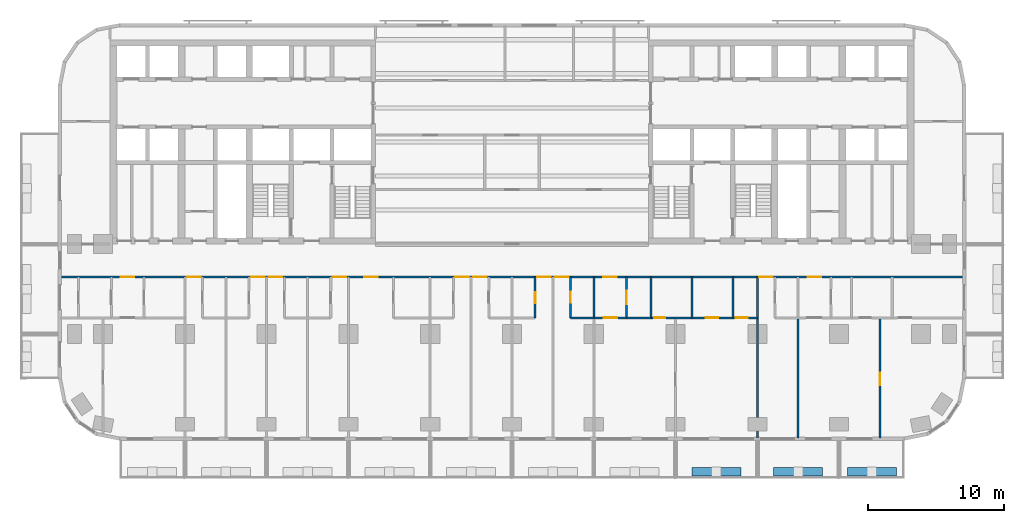
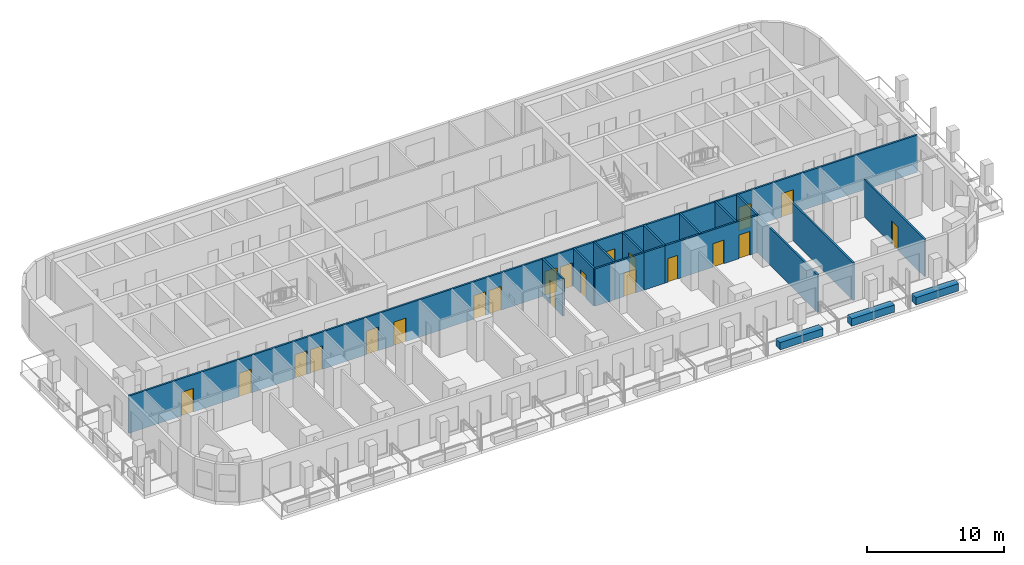
# One storey, part 6 of 15: 21 doors, 18 walls, 21 openings.
"""IFC4 building model written with IfcOpenShell, lengths in metres."""

from ifc_helpers import new_model, si_unit, direction, frame, frame_2d, origin, place, context, subcontext, project, spatial, rectangle, extrude, material, layer, layer_set, type_object, element, fill, save


model = new_model("IFC4")

# Units and contexts
model_context = context("Model", 3, precision=1e-05, world=origin(), true_north=direction((0.0, 1.0)))
body_context = subcontext(model_context, "Body", "Model", "MODEL_VIEW")
ifc_project = project(units=[si_unit("LENGTHUNIT", "METRE"), si_unit("AREAUNIT", "SQUARE_METRE"), si_unit("VOLUMEUNIT", "CUBIC_METRE"), si_unit("PLANEANGLEUNIT", "RADIAN"), si_unit("MASSUNIT", "GRAM", prefix="KILO")], contexts=[model_context])

# Site, building, storey
site_placement = place(None, origin())
site = spatial("IfcSite", under=ifc_project, at=site_placement, CompositionType="ELEMENT")
building_placement = place(site_placement, origin())
building = spatial("IfcBuilding", under=site, at=building_placement, Name="Torana Hotel and Residences", CompositionType="ELEMENT")
storey_placement = place(building_placement, frame((0.0, 0.0, 49.199951171875)))
storey = spatial("IfcBuildingStorey", under=building, at=storey_placement, Name="L11", CompositionType="ELEMENT", Elevation=49.199951171875)

# Wall, opening, door
ifc_material_1 = material(Name="Gypsum plaster")
ifc_layer_1 = layer(ifc_material_1, 0.014892578125, Name="Plaster", Category="finish")
ifc_material_2 = material(Name="Concrete blockwork", Category="masonry")
ifc_layer_2 = layer(ifc_material_2, 0.1201171875, Name="Blockwork", Category="structure")
ifc_layer_3 = layer(ifc_material_1, 0.014892578125, Name="Plaster", Category="finish")
ifc_layer_set_1 = layer_set([ifc_layer_1, ifc_layer_2, ifc_layer_3], Name="FIRE PARTITION 150 BLOCKWORK")
wall_type_1 = type_object("IfcWallType", Name="FIRE PARTITION 150 BLOCKWORK", PredefinedType="PARTITIONING", material=ifc_layer_set_1)
wall_1_placement = place(storey_placement, frame((8.39990234375, -20.39990234375, 0.0), z_axis=(0.0, 0.0, 1.0), x_axis=(0.0, 1.0, 0.0)))
wall_1 = element("IfcWall", 1, at=wall_1_placement, inside=storey, type_object=wall_type_1, Name="Partition L11", PredefinedType="PARTITIONING", context=body_context, shape_type="SweptSolid", body=[
    extrude(rectangle(XDim=3.0, YDim=0.14990234375, at=frame_2d((1.5, 0.0))), origin(), (0.0, 0.0, 1.0), 3.320068359375),
])
opening_1_placement = place(wall_1_placement, frame((1.0, 0.0, 0.0)))
opening_1 = element("IfcOpeningElement", 2, at=opening_1_placement, cuts=wall_1, Name="Opening L11-72", PredefinedType="OPENING", context=body_context, shape_type="SweptSolid", body=[
    extrude(rectangle(XDim=1.0, YDim=2.10009765625, at=frame_2d((0.5, 1.050048828125))), frame((0.0, 0.0849609375, 0.0), z_axis=(0.0, -1.0, 0.0), x_axis=(1.0, 0.0, 0.0)), (0.0, 0.0, 1.0), 0.169921875),
])
ifc_material_3 = material(Name="Steel S235", Category="steel")
door_type_1 = type_object("IfcDoorType", Name="ENTRY FIRE DOOR D6 1000x2100", OperationType="SINGLE_SWING_LEFT", PredefinedType="DOOR", material=ifc_material_3)
door_1_placement = place(opening_1_placement, frame((0.5, 0.0, 0.0), z_axis=(0.0, 0.0, 1.0), x_axis=(-1.0, 0.0, 0.0)))
door_1 = element("IfcDoor", 3, at=door_1_placement, inside=storey, type_object=door_type_1, Name="Door L11", OperationType="SINGLE_SWING_LEFT", OverallHeight=2.10009765625, OverallWidth=1.0, PredefinedType="DOOR", context=body_context, shape_type="SweptSolid", body=[
    extrude(rectangle(XDim=1.0, YDim=2.10009765625, at=frame_2d((0.0, 1.050048828125))), frame((0.0, -0.02490234375, 0.0), z_axis=(0.0, 1.0, 0.0), x_axis=(-1.0, 0.0, 0.0)), (0.0, 0.0, 1.0), 0.050048828125),
])
fill(opening_1, door_1)

# Wall
wall_2_placement = place(storey_placement, frame((6.0, -20.39990234375, 0.0), z_axis=(0.0, 0.0, 1.0), x_axis=(0.0, 1.0, 0.0)))
element("IfcWall", 4, at=wall_2_placement, inside=storey, type_object=wall_type_1, Name="Partition L11", PredefinedType="PARTITIONING", context=body_context, shape_type="SweptSolid", body=[
    extrude(rectangle(XDim=3.0, YDim=0.14990234375, at=frame_2d((1.5, 0.0))), origin(), (0.0, 0.0, 1.0), 3.320068359375),
])

# Wall, opening, door
wall_3_placement = place(storey_placement, frame((6.0, -20.39990234375, 0.0), z_axis=(0.0, 0.0, 1.0), x_axis=(1.0, 0.0, 0.0)))
wall_3 = element("IfcWall", 5, at=wall_3_placement, inside=storey, type_object=wall_type_1, Name="Partition L11", PredefinedType="PARTITIONING", context=body_context, shape_type="SweptSolid", body=[
    extrude(rectangle(XDim=2.39990234375, YDim=0.14990234375, at=frame_2d((1.199951171875, 0.0))), origin(), (0.0, 0.0, 1.0), 3.320068359375),
])
opening_2_placement = place(wall_3_placement, frame((0.72998046875, 0.0, 0.0)))
opening_2 = element("IfcOpeningElement", 6, at=opening_2_placement, cuts=wall_3, Name="Opening L11-73", PredefinedType="OPENING", context=body_context, shape_type="SweptSolid", body=[
    extrude(rectangle(XDim=1.0, YDim=2.10009765625, at=frame_2d((0.5, 1.050048828125))), frame((0.0, 0.0849609375, 0.0), z_axis=(0.0, -1.0, 0.0), x_axis=(1.0, 0.0, 0.0)), (0.0, 0.0, 1.0), 0.169921875),
])
door_2_placement = place(opening_2_placement, frame((0.5, 0.0, 0.0), z_axis=(0.0, 0.0, 1.0), x_axis=(-1.0, 0.0, 0.0)))
door_2 = element("IfcDoor", 7, at=door_2_placement, inside=storey, type_object=door_type_1, Name="Door L11", OperationType="SINGLE_SWING_LEFT", OverallHeight=2.10009765625, OverallWidth=1.0, PredefinedType="DOOR", context=body_context, shape_type="SweptSolid", body=[
    extrude(rectangle(XDim=1.0, YDim=2.10009765625, at=frame_2d((0.0, 1.050048828125))), frame((0.0, -0.02490234375, 0.0), z_axis=(0.0, 1.0, 0.0), x_axis=(-1.0, 0.0, 0.0)), (0.0, 0.0, 1.0), 0.050048828125),
])
fill(opening_2, door_2)

# Wall, openings, doors
wall_4_placement = place(storey_placement, frame((-33.1201171875, -17.39990234375, 0.0), z_axis=(0.0, 0.0, 1.0), x_axis=(1.0, 0.0, 0.0)))
wall_4 = element("IfcWall", 8, at=wall_4_placement, inside=storey, type_object=wall_type_1, Name="Partition L11", PredefinedType="PARTITIONING", context=body_context, shape_type="SweptSolid", body=[
    extrude(rectangle(XDim=66.240234375, YDim=0.14990234375, at=frame_2d((33.1201171875, 0.0))), origin(), (0.0, 0.0, 1.0), 3.320068359375),
])
opening_3_placement = place(wall_4_placement, frame((9.27001953125, 0.0, 0.0)))
opening_3 = element("IfcOpeningElement", 9, at=opening_3_placement, cuts=wall_4, Name="Opening L11-40", PredefinedType="OPENING", context=body_context, shape_type="SweptSolid", body=[
    extrude(rectangle(XDim=1.0, YDim=2.10009765625, at=frame_2d((0.5, 1.050048828125))), frame((0.0, 0.0849609375, 0.0), z_axis=(0.0, -1.0, 0.0), x_axis=(1.0, 0.0, 0.0)), (0.0, 0.0, 1.0), 0.169921875),
])
opening_4_placement = place(wall_4_placement, frame((13.969970703125, 0.0, 0.0)))
opening_4 = element("IfcOpeningElement", 10, at=opening_4_placement, cuts=wall_4, Name="Opening L11-41", PredefinedType="OPENING", context=body_context, shape_type="SweptSolid", body=[
    extrude(rectangle(XDim=1.0, YDim=2.10009765625, at=frame_2d((0.5, 1.050048828125))), frame((0.0, 0.0849609375, 0.0), z_axis=(0.0, -1.0, 0.0), x_axis=(1.0, 0.0, 0.0)), (0.0, 0.0, 1.0), 0.169921875),
])
opening_5_placement = place(wall_4_placement, frame((15.27001953125, 0.0, 0.0)))
opening_5 = element("IfcOpeningElement", 11, at=opening_5_placement, cuts=wall_4, Name="Opening L11-42", PredefinedType="OPENING", context=body_context, shape_type="SweptSolid", body=[
    extrude(rectangle(XDim=1.0, YDim=2.10009765625, at=frame_2d((0.5, 1.050048828125))), frame((0.0, 0.0849609375, 0.0), z_axis=(0.0, -1.0, 0.0), x_axis=(1.0, 0.0, 0.0)), (0.0, 0.0, 1.0), 0.169921875),
])
opening_6_placement = place(wall_4_placement, frame((19.969970703125, 0.0, 0.0)))
opening_6 = element("IfcOpeningElement", 12, at=opening_6_placement, cuts=wall_4, Name="Opening L11-43", PredefinedType="OPENING", context=body_context, shape_type="SweptSolid", body=[
    extrude(rectangle(XDim=1.0, YDim=2.10009765625, at=frame_2d((0.5, 1.050048828125))), frame((0.0, 0.0849609375, 0.0), z_axis=(0.0, -1.0, 0.0), x_axis=(1.0, 0.0, 0.0)), (0.0, 0.0, 1.0), 0.169921875),
])
opening_7_placement = place(wall_4_placement, frame((22.27001953125, 0.0, 0.0)))
opening_7 = element("IfcOpeningElement", 13, at=opening_7_placement, cuts=wall_4, Name="Opening L11-44", PredefinedType="OPENING", context=body_context, shape_type="SweptSolid", body=[
    extrude(rectangle(XDim=1.0, YDim=2.10009765625, at=frame_2d((0.5, 1.050048828125))), frame((0.0, 0.0849609375, 0.0), z_axis=(0.0, -1.0, 0.0), x_axis=(1.0, 0.0, 0.0)), (0.0, 0.0, 1.0), 0.169921875),
])
opening_8_placement = place(wall_4_placement, frame((28.969970703125, 0.0, 0.0)))
opening_8 = element("IfcOpeningElement", 14, at=opening_8_placement, cuts=wall_4, Name="Opening L11-45", PredefinedType="OPENING", context=body_context, shape_type="SweptSolid", body=[
    extrude(rectangle(XDim=1.0, YDim=2.10009765625, at=frame_2d((0.5, 1.050048828125))), frame((0.0, 0.0849609375, 0.0), z_axis=(0.0, -1.0, 0.0), x_axis=(1.0, 0.0, 0.0)), (0.0, 0.0, 1.0), 0.169921875),
])
opening_9_placement = place(wall_4_placement, frame((30.27001953125, 0.0, 0.0)))
opening_9 = element("IfcOpeningElement", 15, at=opening_9_placement, cuts=wall_4, Name="Opening L11-46", PredefinedType="OPENING", context=body_context, shape_type="SweptSolid", body=[
    extrude(rectangle(XDim=1.0, YDim=2.10009765625, at=frame_2d((0.5, 1.050048828125))), frame((0.0, 0.0849609375, 0.0), z_axis=(0.0, -1.0, 0.0), x_axis=(1.0, 0.0, 0.0)), (0.0, 0.0, 1.0), 0.169921875),
])
opening_10_placement = place(wall_4_placement, frame((34.969970703125, 0.0, 0.0)))
opening_10 = element("IfcOpeningElement", 16, at=opening_10_placement, cuts=wall_4, Name="Opening L11-47", PredefinedType="OPENING", context=body_context, shape_type="SweptSolid", body=[
    extrude(rectangle(XDim=1.0, YDim=2.10009765625, at=frame_2d((0.5, 1.050048828125))), frame((0.0, 0.0849609375, 0.0), z_axis=(0.0, -1.0, 0.0), x_axis=(1.0, 0.0, 0.0)), (0.0, 0.0, 1.0), 0.169921875),
])
opening_11_placement = place(wall_4_placement, frame((36.27001953125, 0.0, 0.0)))
opening_11 = element("IfcOpeningElement", 17, at=opening_11_placement, cuts=wall_4, Name="Opening L11-48", PredefinedType="OPENING", context=body_context, shape_type="SweptSolid", body=[
    extrude(rectangle(XDim=1.0, YDim=2.10009765625, at=frame_2d((0.5, 1.050048828125))), frame((0.0, 0.0849609375, 0.0), z_axis=(0.0, -1.0, 0.0), x_axis=(1.0, 0.0, 0.0)), (0.0, 0.0, 1.0), 0.169921875),
])
opening_12_placement = place(wall_4_placement, frame((39.820068359375, 0.0, 0.0)))
opening_12 = element("IfcOpeningElement", 18, at=opening_12_placement, cuts=wall_4, Name="Opening L11-49", PredefinedType="OPENING", context=body_context, shape_type="SweptSolid", body=[
    extrude(rectangle(XDim=1.0, YDim=2.10009765625, at=frame_2d((0.5, 1.050048828125))), frame((0.0, 0.0849609375, 0.0), z_axis=(0.0, -1.0, 0.0), x_axis=(1.0, 0.0, 0.0)), (0.0, 0.0, 1.0), 0.169921875),
])
opening_13_placement = place(wall_4_placement, frame((51.27001953125, 0.0, 0.0)))
opening_13 = element("IfcOpeningElement", 19, at=opening_13_placement, cuts=wall_4, Name="Opening L11-50", PredefinedType="OPENING", context=body_context, shape_type="SweptSolid", body=[
    extrude(rectangle(XDim=1.0, YDim=2.10009765625, at=frame_2d((0.5, 1.050048828125))), frame((0.0, 0.0849609375, 0.0), z_axis=(0.0, -1.0, 0.0), x_axis=(1.0, 0.0, 0.0)), (0.0, 0.0, 1.0), 0.169921875),
])
opening_14_placement = place(wall_4_placement, frame((4.419921875, 0.0, 0.0)))
opening_14 = element("IfcOpeningElement", 20, at=opening_14_placement, cuts=wall_4, Name="Opening L11-51", PredefinedType="OPENING", context=body_context, shape_type="SweptSolid", body=[
    extrude(rectangle(XDim=1.0, YDim=2.10009765625, at=frame_2d((0.5, 1.050048828125))), frame((0.0, 0.0849609375, 0.0), z_axis=(0.0, -1.0, 0.0), x_axis=(1.0, 0.0, 0.0)), (0.0, 0.0, 1.0), 0.169921875),
])
opening_15_placement = place(wall_4_placement, frame((54.820068359375, 0.0, 0.0)))
opening_15 = element("IfcOpeningElement", 21, at=opening_15_placement, cuts=wall_4, Name="Opening L11-52", PredefinedType="OPENING", context=body_context, shape_type="SweptSolid", body=[
    extrude(rectangle(XDim=1.0, YDim=2.10009765625, at=frame_2d((0.5, 1.050048828125))), frame((0.0, 0.0849609375, 0.0), z_axis=(0.0, -1.0, 0.0), x_axis=(1.0, 0.0, 0.0)), (0.0, 0.0, 1.0), 0.169921875),
])
door_3_placement = place(opening_3_placement, frame((0.5, 0.0, 0.0), z_axis=(0.0, 0.0, 1.0), x_axis=(-1.0, 0.0, 0.0)))
door_3 = element("IfcDoor", 22, at=door_3_placement, inside=storey, type_object=door_type_1, Name="Door L11", OperationType="SINGLE_SWING_LEFT", OverallHeight=2.10009765625, OverallWidth=1.0, PredefinedType="DOOR", context=body_context, shape_type="SweptSolid", body=[
    extrude(rectangle(XDim=1.0, YDim=2.10009765625, at=frame_2d((0.0, 1.050048828125))), frame((0.0, -0.02490234375, 0.0), z_axis=(0.0, 1.0, 0.0), x_axis=(-1.0, 0.0, 0.0)), (0.0, 0.0, 1.0), 0.050048828125),
])
fill(opening_3, door_3)
door_4_placement = place(opening_4_placement, frame((0.5, 0.0, 0.0), z_axis=(0.0, 0.0, 1.0), x_axis=(-1.0, 0.0, 0.0)))
door_4 = element("IfcDoor", 23, at=door_4_placement, inside=storey, type_object=door_type_1, Name="Door L11", OperationType="SINGLE_SWING_LEFT", OverallHeight=2.10009765625, OverallWidth=1.0, PredefinedType="DOOR", context=body_context, shape_type="SweptSolid", body=[
    extrude(rectangle(XDim=1.0, YDim=2.10009765625, at=frame_2d((0.0, 1.050048828125))), frame((0.0, -0.02490234375, 0.0), z_axis=(0.0, 1.0, 0.0), x_axis=(-1.0, 0.0, 0.0)), (0.0, 0.0, 1.0), 0.050048828125),
])
fill(opening_4, door_4)
door_5_placement = place(opening_5_placement, frame((0.5, 0.0, 0.0), z_axis=(0.0, 0.0, 1.0), x_axis=(-1.0, 0.0, 0.0)))
door_5 = element("IfcDoor", 24, at=door_5_placement, inside=storey, type_object=door_type_1, Name="Door L11", OperationType="SINGLE_SWING_LEFT", OverallHeight=2.10009765625, OverallWidth=1.0, PredefinedType="DOOR", context=body_context, shape_type="SweptSolid", body=[
    extrude(rectangle(XDim=1.0, YDim=2.10009765625, at=frame_2d((0.0, 1.050048828125))), frame((0.0, -0.02490234375, 0.0), z_axis=(0.0, 1.0, 0.0), x_axis=(-1.0, 0.0, 0.0)), (0.0, 0.0, 1.0), 0.050048828125),
])
fill(opening_5, door_5)
door_6_placement = place(opening_6_placement, frame((0.5, 0.0, 0.0), z_axis=(0.0, 0.0, 1.0), x_axis=(-1.0, 0.0, 0.0)))
door_6 = element("IfcDoor", 25, at=door_6_placement, inside=storey, type_object=door_type_1, Name="Door L11", OperationType="SINGLE_SWING_LEFT", OverallHeight=2.10009765625, OverallWidth=1.0, PredefinedType="DOOR", context=body_context, shape_type="SweptSolid", body=[
    extrude(rectangle(XDim=1.0, YDim=2.10009765625, at=frame_2d((0.0, 1.050048828125))), frame((0.0, -0.02490234375, 0.0), z_axis=(0.0, 1.0, 0.0), x_axis=(-1.0, 0.0, 0.0)), (0.0, 0.0, 1.0), 0.050048828125),
])
fill(opening_6, door_6)
door_7_placement = place(opening_7_placement, frame((0.5, 0.0, 0.0), z_axis=(0.0, 0.0, 1.0), x_axis=(-1.0, 0.0, 0.0)))
door_7 = element("IfcDoor", 26, at=door_7_placement, inside=storey, type_object=door_type_1, Name="Door L11", OperationType="SINGLE_SWING_LEFT", OverallHeight=2.10009765625, OverallWidth=1.0, PredefinedType="DOOR", context=body_context, shape_type="SweptSolid", body=[
    extrude(rectangle(XDim=1.0, YDim=2.10009765625, at=frame_2d((0.0, 1.050048828125))), frame((0.0, -0.02490234375, 0.0), z_axis=(0.0, 1.0, 0.0), x_axis=(-1.0, 0.0, 0.0)), (0.0, 0.0, 1.0), 0.050048828125),
])
fill(opening_7, door_7)
door_8_placement = place(opening_8_placement, frame((0.5, 0.0, 0.0), z_axis=(0.0, 0.0, 1.0), x_axis=(-1.0, 0.0, 0.0)))
door_8 = element("IfcDoor", 27, at=door_8_placement, inside=storey, type_object=door_type_1, Name="Door L11", OperationType="SINGLE_SWING_LEFT", OverallHeight=2.10009765625, OverallWidth=1.0, PredefinedType="DOOR", context=body_context, shape_type="SweptSolid", body=[
    extrude(rectangle(XDim=1.0, YDim=2.10009765625, at=frame_2d((0.0, 1.050048828125))), frame((0.0, -0.02490234375, 0.0), z_axis=(0.0, 1.0, 0.0), x_axis=(-1.0, 0.0, 0.0)), (0.0, 0.0, 1.0), 0.050048828125),
])
fill(opening_8, door_8)
door_9_placement = place(opening_9_placement, frame((0.5, 0.0, 0.0), z_axis=(0.0, 0.0, 1.0), x_axis=(-1.0, 0.0, 0.0)))
door_9 = element("IfcDoor", 28, at=door_9_placement, inside=storey, type_object=door_type_1, Name="Door L11", OperationType="SINGLE_SWING_LEFT", OverallHeight=2.10009765625, OverallWidth=1.0, PredefinedType="DOOR", context=body_context, shape_type="SweptSolid", body=[
    extrude(rectangle(XDim=1.0, YDim=2.10009765625, at=frame_2d((0.0, 1.050048828125))), frame((0.0, -0.02490234375, 0.0), z_axis=(0.0, 1.0, 0.0), x_axis=(-1.0, 0.0, 0.0)), (0.0, 0.0, 1.0), 0.050048828125),
])
fill(opening_9, door_9)
door_10_placement = place(opening_10_placement, frame((0.5, 0.0, 0.0), z_axis=(0.0, 0.0, 1.0), x_axis=(-1.0, 0.0, 0.0)))
door_10 = element("IfcDoor", 29, at=door_10_placement, inside=storey, type_object=door_type_1, Name="Door L11", OperationType="SINGLE_SWING_LEFT", OverallHeight=2.10009765625, OverallWidth=1.0, PredefinedType="DOOR", context=body_context, shape_type="SweptSolid", body=[
    extrude(rectangle(XDim=1.0, YDim=2.10009765625, at=frame_2d((0.0, 1.050048828125))), frame((0.0, -0.02490234375, 0.0), z_axis=(0.0, 1.0, 0.0), x_axis=(-1.0, 0.0, 0.0)), (0.0, 0.0, 1.0), 0.050048828125),
])
fill(opening_10, door_10)
door_11_placement = place(opening_11_placement, frame((0.5, 0.0, 0.0), z_axis=(0.0, 0.0, 1.0), x_axis=(-1.0, 0.0, 0.0)))
door_11 = element("IfcDoor", 30, at=door_11_placement, inside=storey, type_object=door_type_1, Name="Door L11", OperationType="SINGLE_SWING_LEFT", OverallHeight=2.10009765625, OverallWidth=1.0, PredefinedType="DOOR", context=body_context, shape_type="SweptSolid", body=[
    extrude(rectangle(XDim=1.0, YDim=2.10009765625, at=frame_2d((0.0, 1.050048828125))), frame((0.0, -0.02490234375, 0.0), z_axis=(0.0, 1.0, 0.0), x_axis=(-1.0, 0.0, 0.0)), (0.0, 0.0, 1.0), 0.050048828125),
])
fill(opening_11, door_11)
door_12_placement = place(opening_12_placement, origin())
door_12 = element("IfcDoor", 31, at=door_12_placement, inside=storey, type_object=door_type_1, Name="Door L11", OperationType="SINGLE_SWING_RIGHT", OverallHeight=2.10009765625, OverallWidth=1.0, PredefinedType="DOOR", context=body_context, shape_type="SweptSolid", body=[
    extrude(rectangle(XDim=1.0, YDim=2.10009765625, at=frame_2d((0.5, 1.050048828125))), frame((0.0, 0.02490234375, 0.0), z_axis=(0.0, -1.0, 0.0), x_axis=(1.0, 0.0, 0.0)), (0.0, 0.0, 1.0), 0.050048828125),
])
fill(opening_12, door_12)
door_13_placement = place(opening_13_placement, frame((0.5, 0.0, 0.0), z_axis=(0.0, 0.0, 1.0), x_axis=(-1.0, 0.0, 0.0)))
door_13 = element("IfcDoor", 32, at=door_13_placement, inside=storey, type_object=door_type_1, Name="Door L11", OperationType="SINGLE_SWING_LEFT", OverallHeight=2.10009765625, OverallWidth=1.0, PredefinedType="DOOR", context=body_context, shape_type="SweptSolid", body=[
    extrude(rectangle(XDim=1.0, YDim=2.10009765625, at=frame_2d((0.0, 1.050048828125))), frame((0.0, -0.02490234375, 0.0), z_axis=(0.0, 1.0, 0.0), x_axis=(-1.0, 0.0, 0.0)), (0.0, 0.0, 1.0), 0.050048828125),
])
fill(opening_13, door_13)
door_14_placement = place(opening_14_placement, origin())
door_14 = element("IfcDoor", 33, at=door_14_placement, inside=storey, type_object=door_type_1, Name="Door L11", OperationType="SINGLE_SWING_RIGHT", OverallHeight=2.10009765625, OverallWidth=1.0, PredefinedType="DOOR", context=body_context, shape_type="SweptSolid", body=[
    extrude(rectangle(XDim=1.0, YDim=2.10009765625, at=frame_2d((0.5, 1.050048828125))), frame((0.0, 0.02490234375, 0.0), z_axis=(0.0, -1.0, 0.0), x_axis=(1.0, 0.0, 0.0)), (0.0, 0.0, 1.0), 0.050048828125),
])
fill(opening_14, door_14)
door_15_placement = place(opening_15_placement, origin())
door_15 = element("IfcDoor", 34, at=door_15_placement, inside=storey, type_object=door_type_1, Name="Door L11", OperationType="SINGLE_SWING_RIGHT", OverallHeight=2.10009765625, OverallWidth=1.0, PredefinedType="DOOR", context=body_context, shape_type="SweptSolid", body=[
    extrude(rectangle(XDim=1.0, YDim=2.10009765625, at=frame_2d((0.5, 1.050048828125))), frame((0.0, 0.02490234375, 0.0), z_axis=(0.0, -1.0, 0.0), x_axis=(1.0, 0.0, 0.0)), (0.0, 0.0, 1.0), 0.050048828125),
])
fill(opening_15, door_15)

# Wall, opening, door
ifc_material_4 = material(Name="Gypsum plasterboard")
ifc_layer_4 = layer(ifc_material_4, 0.012451171875, Name="Plasterboard", Category="finish")
ifc_layer_5 = layer(ifc_material_4, 0.012451171875, Name="Plasterboard", Category="finish")
ifc_material_5 = material(Name="Steel S280GD", Category="steel")
ifc_layer_6 = layer(ifc_material_5, 0.10009765625, Name="Steel studs with mineral wool", Category="insulation")
ifc_layer_7 = layer(ifc_material_4, 0.012451171875, Name="Plasterboard", Category="finish")
ifc_layer_8 = layer(ifc_material_4, 0.012451171875, Name="Plasterboard", Category="finish")
ifc_layer_set_2 = layer_set([ifc_layer_4, ifc_layer_5, ifc_layer_6, ifc_layer_7, ifc_layer_8], Name="PARTITION 150 PLASTERBOARD")
wall_type_2 = type_object("IfcWallType", Name="PARTITION 150 PLASTERBOARD", PredefinedType="PARTITIONING", material=ifc_layer_set_2)
wall_5_placement = place(storey_placement, frame((27.0, -29.219970703125, 0.0), z_axis=(0.0, 0.0, 1.0), x_axis=(0.0, 1.0, 0.0)))
wall_5 = element("IfcWall", 35, at=wall_5_placement, inside=storey, type_object=wall_type_2, Name="Partition L11", PredefinedType="PARTITIONING", context=body_context, shape_type="SweptSolid", body=[
    extrude(rectangle(XDim=8.820068359375, YDim=0.14990234375, at=frame_2d((4.41015625, 0.0))), origin(), (0.0, 0.0, 1.0), 3.320068359375),
])
opening_16_placement = place(wall_5_placement, frame((3.8701171875, 0.0, 0.0)))
opening_16 = element("IfcOpeningElement", 36, at=opening_16_placement, cuts=wall_5, Name="Opening L11-88", PredefinedType="OPENING", context=body_context, shape_type="SweptSolid", body=[
    extrude(rectangle(XDim=0.89990234375, YDim=2.10009765625, at=frame_2d((0.449951171875, 1.050048828125))), frame((0.0, 0.0849609375, 0.0), z_axis=(0.0, -1.0, 0.0), x_axis=(1.0, 0.0, 0.0)), (0.0, 0.0, 1.0), 0.169921875),
])
ifc_material_6 = material(Name="Timber door, oiled ash", Category="wood")
door_type_2 = type_object("IfcDoorType", Name="ROOM DOOR D7 900x2100", OperationType="SINGLE_SWING_LEFT", PredefinedType="DOOR", material=ifc_material_6)
door_16_placement = place(opening_16_placement, origin())
door_16 = element("IfcDoor", 37, at=door_16_placement, inside=storey, type_object=door_type_2, Name="Door L11", OperationType="SINGLE_SWING_RIGHT", OverallHeight=2.10009765625, OverallWidth=0.89990234375, PredefinedType="DOOR", context=body_context, shape_type="SweptSolid", body=[
    extrude(rectangle(XDim=0.89990234375, YDim=2.10009765625, at=frame_2d((0.449951171875, 1.050048828125))), frame((0.0, 0.02490234375, 0.0), z_axis=(0.0, -1.0, 0.0), x_axis=(1.0, 0.0, 0.0)), (0.0, 0.0, 1.0), 0.050048828125),
])
fill(opening_16, door_16)

# Walls
wall_6_placement = place(storey_placement, frame((21.0, -29.219970703125, 0.0), z_axis=(0.0, 0.0, 1.0), x_axis=(0.0, 1.0, 0.0)))
element("IfcWall", 38, at=wall_6_placement, inside=storey, type_object=wall_type_2, Name="Partition L11", PredefinedType="PARTITIONING", context=body_context, shape_type="SweptSolid", body=[
    extrude(rectangle(XDim=8.820068359375, YDim=0.14990234375, at=frame_2d((4.41015625, 0.0))), origin(), (0.0, 0.0, 1.0), 3.320068359375),
])
wall_7_placement = place(storey_placement, frame((18.0, -29.219970703125, 0.0), z_axis=(0.0, 0.0, 1.0), x_axis=(0.0, 1.0, 0.0)))
element("IfcWall", 39, at=wall_7_placement, inside=storey, type_object=wall_type_2, Name="Partition L11", PredefinedType="PARTITIONING", context=body_context, shape_type="SweptSolid", body=[
    extrude(rectangle(XDim=11.820068359375, YDim=0.14990234375, at=frame_2d((5.91015625, 0.0))), origin(), (0.0, 0.0, 1.0), 3.320068359375),
])
for number, where, z_axis, x_axis, name in (
    (40, (16.199951171875, -20.39990234375, 0.0), (0.0, 0.0, 1.0), (0.0, 1.0, 0.0), "Partition L11"),
    (41, (13.199951171875, -20.39990234375, 0.0), (0.0, 0.0, 1.0), (0.0, 1.0, 0.0), "Partition L11"),
):
    element("IfcWall", number, at=place(storey_placement, frame(where, z_axis=z_axis, x_axis=x_axis)), inside=storey, type_object=wall_type_2, Name=name, PredefinedType="PARTITIONING", context=body_context, shape_type="SweptSolid", body=[
        extrude(rectangle(XDim=3.0, YDim=0.14990234375, at=frame_2d((1.5, 0.0))), origin(), (0.0, 0.0, 1.0), 3.320068359375),
    ])

# Wall, opening, door
wall_8_placement = place(storey_placement, frame((4.300048828125, -20.39990234375, 0.0), z_axis=(0.0, 0.0, 1.0), x_axis=(0.0, 1.0, 0.0)))
wall_8 = element("IfcWall", 42, at=wall_8_placement, inside=storey, type_object=wall_type_2, Name="Partition L11", PredefinedType="PARTITIONING", context=body_context, shape_type="SweptSolid", body=[
    extrude(rectangle(XDim=3.0, YDim=0.14990234375, at=frame_2d((1.5, 0.0))), origin(), (0.0, 0.0, 1.0), 3.320068359375),
])
opening_17_placement = place(wall_8_placement, frame((1.1201171875, 0.0, 0.0)))
opening_17 = element("IfcOpeningElement", 43, at=opening_17_placement, cuts=wall_8, Name="Opening L11-71", PredefinedType="OPENING", context=body_context, shape_type="SweptSolid", body=[
    extrude(rectangle(XDim=0.800048828125, YDim=2.10009765625, at=frame_2d((0.39990234375, 1.050048828125))), frame((0.0, 0.0849609375, 0.0), z_axis=(0.0, -1.0, 0.0), x_axis=(1.0, 0.0, 0.0)), (0.0, 0.0, 1.0), 0.169921875),
])
ifc_material_7 = material(Name="Timber door, painted", Category="wood")
door_type_3 = type_object("IfcDoorType", Name="BATH DOOR D13 800x2100", OperationType="SINGLE_SWING_LEFT", PredefinedType="DOOR", material=ifc_material_7)
door_17_placement = place(opening_17_placement, origin())
door_17 = element("IfcDoor", 44, at=door_17_placement, inside=storey, type_object=door_type_3, Name="Door L11", OperationType="SINGLE_SWING_LEFT", OverallHeight=2.10009765625, OverallWidth=0.800048828125, PredefinedType="DOOR", context=body_context, shape_type="SweptSolid", body=[
    extrude(rectangle(XDim=0.800048828125, YDim=2.10009765625, at=frame_2d((0.39990234375, 1.050048828125))), frame((0.0, 0.02490234375, 0.0), z_axis=(0.0, -1.0, 0.0), x_axis=(1.0, 0.0, 0.0)), (0.0, 0.0, 1.0), 0.050048828125),
])
fill(opening_17, door_17)

wall_9_placement = place(storey_placement, frame((1.699951171875, -20.39990234375, 0.0), z_axis=(0.0, 0.0, 1.0), x_axis=(0.0, 1.0, 0.0)))
wall_9 = element("IfcWall", 45, at=wall_9_placement, inside=storey, type_object=wall_type_2, Name="Partition L11", PredefinedType="PARTITIONING", context=body_context, shape_type="SweptSolid", body=[
    extrude(rectangle(XDim=3.0, YDim=0.14990234375, at=frame_2d((1.5, 0.0))), origin(), (0.0, 0.0, 1.0), 3.320068359375),
])
opening_18_placement = place(wall_9_placement, frame((1.080078125, 0.0, 0.0)))
opening_18 = element("IfcOpeningElement", 46, at=opening_18_placement, cuts=wall_9, Name="Opening L11-70", PredefinedType="OPENING", context=body_context, shape_type="SweptSolid", body=[
    extrude(rectangle(XDim=0.800048828125, YDim=2.10009765625, at=frame_2d((0.39990234375, 1.050048828125))), frame((0.0, 0.0849609375, 0.0), z_axis=(0.0, -1.0, 0.0), x_axis=(1.0, 0.0, 0.0)), (0.0, 0.0, 1.0), 0.169921875),
])
door_18_placement = place(opening_18_placement, origin())
door_18 = element("IfcDoor", 47, at=door_18_placement, inside=storey, type_object=door_type_3, Name="Door L11", OperationType="SINGLE_SWING_RIGHT", OverallHeight=2.10009765625, OverallWidth=0.800048828125, PredefinedType="DOOR", context=body_context, shape_type="SweptSolid", body=[
    extrude(rectangle(XDim=0.800048828125, YDim=2.10009765625, at=frame_2d((0.39990234375, 1.050048828125))), frame((0.0, 0.02490234375, 0.0), z_axis=(0.0, -1.0, 0.0), x_axis=(1.0, 0.0, 0.0)), (0.0, 0.0, 1.0), 0.050048828125),
])
fill(opening_18, door_18)

# Wall
wall_10_placement = place(storey_placement, frame((4.300048828125, -20.39990234375, 0.0), z_axis=(0.0, 0.0, 1.0), x_axis=(1.0, 0.0, 0.0)))
element("IfcWall", 48, at=wall_10_placement, inside=storey, type_object=wall_type_2, Name="Partition L11", PredefinedType="PARTITIONING", context=body_context, shape_type="SweptSolid", body=[
    extrude(rectangle(XDim=1.699951171875, YDim=0.14990234375, at=frame_2d((0.85009765625, 0.0))), origin(), (0.0, 0.0, 1.0), 3.320068359375),
])

# Wall, openings, doors
wall_11_placement = place(storey_placement, frame((10.199951171875, -20.39990234375, 0.0), z_axis=(0.0, 0.0, 1.0), x_axis=(1.0, 0.0, 0.0)))
wall_11 = element("IfcWall", 49, at=wall_11_placement, inside=storey, type_object=wall_type_2, Name="Partition L11", PredefinedType="PARTITIONING", context=body_context, shape_type="SweptSolid", body=[
    extrude(rectangle(XDim=7.800048828125, YDim=0.14990234375, at=frame_2d((3.89990234375, 0.0))), origin(), (0.0, 0.0, 1.0), 3.320068359375),
])
opening_19_placement = place(wall_11_placement, frame((0.25, 0.0, 0.0)))
opening_19 = element("IfcOpeningElement", 50, at=opening_19_placement, cuts=wall_11, Name="Opening L11-74", PredefinedType="OPENING", context=body_context, shape_type="SweptSolid", body=[
    extrude(rectangle(XDim=0.800048828125, YDim=2.10009765625, at=frame_2d((0.39990234375, 1.050048828125))), frame((0.0, 0.0849609375, 0.0), z_axis=(0.0, -1.0, 0.0), x_axis=(1.0, 0.0, 0.0)), (0.0, 0.0, 1.0), 0.169921875),
])
opening_20_placement = place(wall_11_placement, frame((4.030029296875, 0.0, 0.0)))
opening_20 = element("IfcOpeningElement", 51, at=opening_20_placement, cuts=wall_11, Name="Opening L11-75", PredefinedType="OPENING", context=body_context, shape_type="SweptSolid", body=[
    extrude(rectangle(XDim=0.89990234375, YDim=2.10009765625, at=frame_2d((0.449951171875, 1.050048828125))), frame((0.0, 0.0849609375, 0.0), z_axis=(0.0, -1.0, 0.0), x_axis=(1.0, 0.0, 0.0)), (0.0, 0.0, 1.0), 0.169921875),
])
opening_21_placement = place(wall_11_placement, frame((6.199951171875, 0.0, 0.0)))
opening_21 = element("IfcOpeningElement", 52, at=opening_21_placement, cuts=wall_11, Name="Opening L11-76", PredefinedType="OPENING", context=body_context, shape_type="SweptSolid", body=[
    extrude(rectangle(XDim=0.89990234375, YDim=2.10009765625, at=frame_2d((0.449951171875, 1.050048828125))), frame((0.0, 0.0849609375, 0.0), z_axis=(0.0, -1.0, 0.0), x_axis=(1.0, 0.0, 0.0)), (0.0, 0.0, 1.0), 0.169921875),
])
door_19_placement = place(opening_19_placement, origin())
door_19 = element("IfcDoor", 53, at=door_19_placement, inside=storey, type_object=door_type_3, Name="Door L11", OperationType="SINGLE_SWING_RIGHT", OverallHeight=2.10009765625, OverallWidth=0.800048828125, PredefinedType="DOOR", context=body_context, shape_type="SweptSolid", body=[
    extrude(rectangle(XDim=0.800048828125, YDim=2.10009765625, at=frame_2d((0.39990234375, 1.050048828125))), frame((0.0, 0.02490234375, 0.0), z_axis=(0.0, -1.0, 0.0), x_axis=(1.0, 0.0, 0.0)), (0.0, 0.0, 1.0), 0.050048828125),
])
fill(opening_19, door_19)
door_20_placement = place(opening_20_placement, origin())
door_20 = element("IfcDoor", 54, at=door_20_placement, inside=storey, type_object=door_type_2, Name="Door L11", OperationType="SINGLE_SWING_RIGHT", OverallHeight=2.10009765625, OverallWidth=0.89990234375, PredefinedType="DOOR", context=body_context, shape_type="SweptSolid", body=[
    extrude(rectangle(XDim=0.89990234375, YDim=2.10009765625, at=frame_2d((0.449951171875, 1.050048828125))), frame((0.0, 0.02490234375, 0.0), z_axis=(0.0, -1.0, 0.0), x_axis=(1.0, 0.0, 0.0)), (0.0, 0.0, 1.0), 0.050048828125),
])
fill(opening_20, door_20)
door_21_placement = place(opening_21_placement, origin())
door_21 = element("IfcDoor", 55, at=door_21_placement, inside=storey, type_object=door_type_2, Name="Door L11", OperationType="SINGLE_SWING_RIGHT", OverallHeight=2.10009765625, OverallWidth=0.89990234375, PredefinedType="DOOR", context=body_context, shape_type="SweptSolid", body=[
    extrude(rectangle(XDim=0.89990234375, YDim=2.10009765625, at=frame_2d((0.449951171875, 1.050048828125))), frame((0.0, 0.02490234375, 0.0), z_axis=(0.0, -1.0, 0.0), x_axis=(1.0, 0.0, 0.0)), (0.0, 0.0, 1.0), 0.050048828125),
])
fill(opening_21, door_21)

# Walls
ifc_material_8 = material(Name="Concrete C40/50 precast", Category="concrete")
ifc_layer_9 = layer(ifc_material_8, 0.10009765625, Name="Planter shell", Category="structure")
ifc_material_9 = material(Name="Root resistant membrane")
ifc_layer_10 = layer(ifc_material_9, 0.00390625, Name="Waterproofing membrane", Category="membrane")
ifc_material_10 = material(Name="Drainage board with filter fleece")
ifc_layer_11 = layer(ifc_material_10, 0.02001953125, Name="Drainage board", Category="drainage")
ifc_material_11 = material(Name="Growing medium")
ifc_layer_12 = layer(ifc_material_11, 0.47607421875, Name="Planting substrate", Category="soil")
ifc_layer_set_3 = layer_set([ifc_layer_9, ifc_layer_10, ifc_layer_11, ifc_layer_12], Name="PL1 BALCONY PLANTER 600")
wall_type_3 = type_object("IfcWallType", Name="PL1 BALCONY PLANTER 600", PredefinedType="USERDEFINED", material=ifc_layer_set_3)
for number, where, z_axis, x_axis, name in (
    (56, (16.800048828125, -31.699951171875, 0.0), (0.0, 0.0, 1.0), (-1.0, 0.0, 0.0), "Planter 08"),
    (57, (22.800048828125, -31.699951171875, 0.0), (0.0, 0.0, 1.0), (-1.0, 0.0, 0.0), "Planter 09"),
):
    element("IfcWall", number, at=place(storey_placement, frame(where, z_axis=z_axis, x_axis=x_axis)), inside=storey, type_object=wall_type_3, Name=name, ObjectType="PLANTER", PredefinedType="USERDEFINED", context=body_context, shape_type="SweptSolid", body=[
        extrude(rectangle(XDim=3.60009765625, YDim=0.60009765625, at=frame_2d((1.800048828125, 0.0))), origin(), (0.0, 0.0, 1.0), 0.650146484375),
    ])
wall_12_placement = place(storey_placement, frame((28.199951171875, -31.699951171875, 0.0), z_axis=(0.0, 0.0, 1.0), x_axis=(-1.0, 0.0, 0.0)))
element("IfcWall", 58, at=wall_12_placement, inside=storey, type_object=wall_type_3, Name="Planter 10", ObjectType="PLANTER", PredefinedType="USERDEFINED", context=body_context, shape_type="SweptSolid", body=[
    extrude(rectangle(XDim=3.599853515625, YDim=0.60009765625, at=frame_2d((1.7998046875, 0.0))), origin(), (0.0, 0.0, 1.0), 0.650146484375),
])
ifc_material_12 = material(Name="Ceramic tile on adhesive")
ifc_layer_13 = layer(ifc_material_12, 0.010009765625, Name="Wall tile", Category="finish")
ifc_material_13 = material(Name="Cement render")
ifc_layer_14 = layer(ifc_material_13, 0.010009765625, Name="Render", Category="finish")
ifc_layer_15 = layer(ifc_material_2, 0.110107421875, Name="Blockwork", Category="structure")
ifc_layer_16 = layer(ifc_material_13, 0.010009765625, Name="Render", Category="finish")
ifc_layer_17 = layer(ifc_material_12, 0.010009765625, Name="Wall tile", Category="finish")
ifc_layer_set_4 = layer_set([ifc_layer_13, ifc_layer_14, ifc_layer_15, ifc_layer_16, ifc_layer_17], Name="WC PARTITION 150")
wall_type_4 = type_object("IfcWallType", Name="WC PARTITION 150", PredefinedType="PLUMBINGWALL", material=ifc_layer_set_4)
wall_13_placement = place(storey_placement, frame((10.199951171875, -20.39990234375, 0.0), z_axis=(0.0, 0.0, 1.0), x_axis=(0.0, 1.0, 0.0)))
element("IfcWall", 59, at=wall_13_placement, inside=storey, type_object=wall_type_4, Name="Partition L11", PredefinedType="PLUMBINGWALL", context=body_context, shape_type="SweptSolid", body=[
    extrude(rectangle(XDim=3.0, YDim=0.14990234375, at=frame_2d((1.5, 0.0))), origin(), (0.0, 0.0, 1.0), 3.320068359375),
])
wall_14_placement = place(storey_placement, frame((8.39990234375, -20.39990234375, 0.0), z_axis=(0.0, 0.0, 1.0), x_axis=(1.0, 0.0, 0.0)))
element("IfcWall", 60, at=wall_14_placement, inside=storey, type_object=wall_type_4, Name="Partition L11", PredefinedType="PLUMBINGWALL", context=body_context, shape_type="SweptSolid", body=[
    extrude(rectangle(XDim=1.800048828125, YDim=0.14990234375, at=frame_2d((0.89990234375, 0.0))), origin(), (0.0, 0.0, 1.0), 3.320068359375),
])

save(model, "model.ifc")
